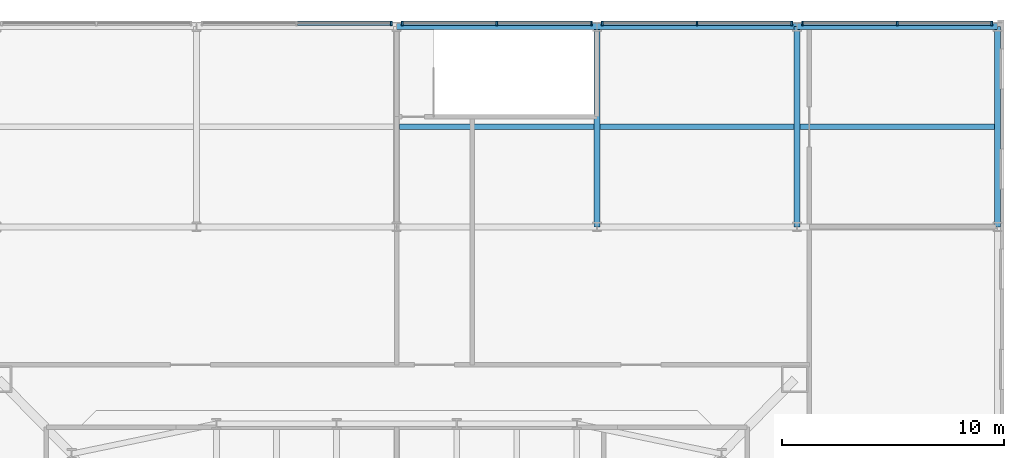
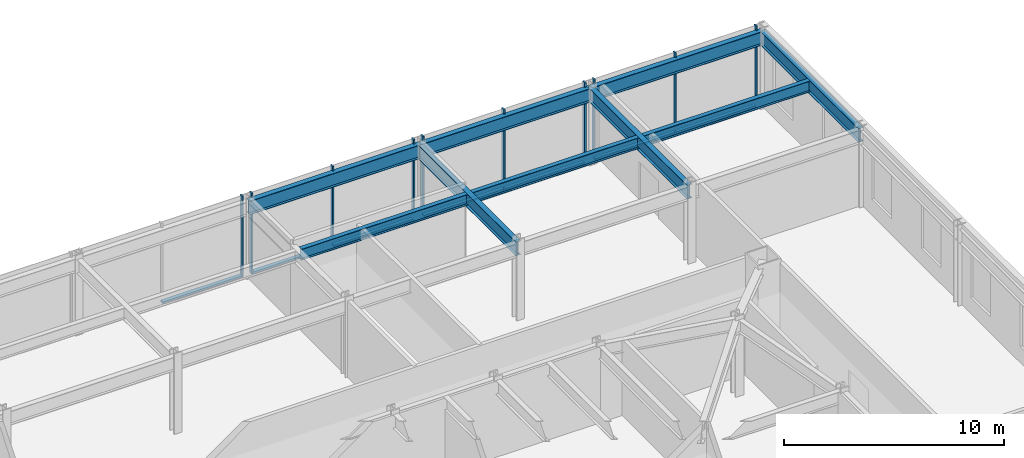
# One storey, part 17 of 30: 17 members, 9 beams, 4 elements without a shape of their own.
"""IFC4 building model written with IfcOpenShell, lengths in metres."""

from ifc_helpers import new_model, si_unit, direction, frame, origin, origin_2d, place, context, subcontext, project, spatial, rectangle, i_section, extrude, material, material_profile, profile_set, type_object, element, aggregate, save


model = new_model("IFC4")

# Units and contexts
model_context = context("Model", 3, precision=1e-05, world=origin(), true_north=direction((0.0, 1.0)))
body_context = subcontext(model_context, "Body", "Model", "MODEL_VIEW")
ifc_project = project(units=[si_unit("LENGTHUNIT", "METRE"), si_unit("AREAUNIT", "SQUARE_METRE"), si_unit("VOLUMEUNIT", "CUBIC_METRE"), si_unit("PLANEANGLEUNIT", "RADIAN"), si_unit("MASSUNIT", "GRAM", prefix="KILO")], contexts=[model_context])

# Site, building, storey
site_placement = place(None, origin())
site = spatial("IfcSite", under=ifc_project, at=site_placement, CompositionType="ELEMENT")
building_placement = place(site_placement, origin())
building = spatial("IfcBuilding", under=site, at=building_placement, Name="Iwan Alto Co-Living Towers", CompositionType="ELEMENT")
storey_placement = place(building_placement, frame((0.0, 0.0, 10.5)))
storey = spatial("IfcBuildingStorey", under=building, at=storey_placement, Name="L02", CompositionType="ELEMENT", Elevation=10.5)

# Curtain wall, member
ifc_material_1 = material(Name="Bronze aluminium stick frame", Category="aluminium")
curtain_wall_type = type_object("IfcCurtainWallType", Name="CURTAIN WALL CW-E", PredefinedType="NOTDEFINED", material=ifc_material_1)
curtain_wall_1_placement = place(storey_placement, origin())
curtain_wall_1 = element("IfcCurtainWall", 1, at=curtain_wall_1_placement, inside=storey, type_object=curtain_wall_type, Name="Podium curtain wall N L02", PredefinedType="NOTDEFINED")
ifc_material_2 = material(Name="Aluminium 6063-T6 bronze anodised", Category="aluminium")
ifc_material_profile_1 = material_profile(ifc_material_2, rectangle(XDim=0.199951171875, YDim=0.080078125, at=origin_2d()), Name="AL 80X200")
ifc_profile_set_1 = profile_set([ifc_material_profile_1], Name="Aluminium 6063-T6 bronze anodised")
member_type_1 = type_object("IfcMemberType", Name="CW-E MULLION 80X200", PredefinedType="MULLION", material=ifc_profile_set_1)
member_1_placement = place(storey_placement, frame((62.754150390625, 36.14990234375, 0.0), z_axis=(0.0, 0.0, 1.0), x_axis=(0.0, -1.0, 0.0)))
member_1 = element("IfcMember", 2, at=member_1_placement, type_object=member_type_1, Name="CW-E mullion 1", PredefinedType="MULLION", context=body_context, shape_type="SweptSolid", body=[
    extrude(rectangle(XDim=0.199951171875, YDim=0.080078125, at=origin_2d()), origin(), (0.0, 0.0, 1.0), 4.5),
])

# Curtain wall, members
curtain_wall_2_placement = place(storey_placement, origin())
curtain_wall_2 = element("IfcCurtainWall", 3, at=curtain_wall_2_placement, inside=storey, type_object=curtain_wall_type, Name="Podium curtain wall N L02", PredefinedType="NOTDEFINED")
member_2_placement = place(storey_placement, frame((71.754150390625, 36.14990234375, 0.0), z_axis=(0.0, 0.0, 1.0), x_axis=(0.0, -1.0, 0.0)))
member_2 = element("IfcMember", 4, at=member_2_placement, type_object=member_type_1, Name="CW-E mullion 1", PredefinedType="MULLION", context=body_context, shape_type="SweptSolid", body=[
    extrude(rectangle(XDim=0.199951171875, YDim=0.080078125, at=origin_2d()), origin(), (0.0, 0.0, 1.0), 4.5),
])
member_3_placement = place(storey_placement, frame((67.5, 36.14990234375, 0.0), z_axis=(0.0, 0.0, 1.0), x_axis=(0.0, -1.0, 0.0)))
member_3 = element("IfcMember", 5, at=member_3_placement, type_object=member_type_1, Name="CW-E mullion 2", PredefinedType="MULLION", context=body_context, shape_type="SweptSolid", body=[
    extrude(rectangle(XDim=0.199951171875, YDim=0.080078125, at=origin_2d()), origin(), (0.0, 0.0, 1.0), 4.5),
])
member_4_placement = place(storey_placement, frame((63.245849609375, 36.14990234375, 0.0), z_axis=(0.0, 0.0, 1.0), x_axis=(0.0, -1.0, 0.0)))
member_4 = element("IfcMember", 6, at=member_4_placement, type_object=member_type_1, Name="CW-E mullion 3", PredefinedType="MULLION", context=body_context, shape_type="SweptSolid", body=[
    extrude(rectangle(XDim=0.199951171875, YDim=0.080078125, at=origin_2d()), origin(), (0.0, 0.0, 1.0), 4.5),
])

curtain_wall_3_placement = place(storey_placement, origin())
curtain_wall_3 = element("IfcCurtainWall", 7, at=curtain_wall_3_placement, inside=storey, type_object=curtain_wall_type, Name="Podium curtain wall N L02", PredefinedType="NOTDEFINED")
member_5_placement = place(storey_placement, frame((80.754150390625, 36.14990234375, 0.0), z_axis=(0.0, 0.0, 1.0), x_axis=(0.0, -1.0, 0.0)))
member_5 = element("IfcMember", 8, at=member_5_placement, type_object=member_type_1, Name="CW-E mullion 1", PredefinedType="MULLION", context=body_context, shape_type="SweptSolid", body=[
    extrude(rectangle(XDim=0.199951171875, YDim=0.080078125, at=origin_2d()), origin(), (0.0, 0.0, 1.0), 4.5),
])
member_6_placement = place(storey_placement, frame((76.5, 36.14990234375, 0.0), z_axis=(0.0, 0.0, 1.0), x_axis=(0.0, -1.0, 0.0)))
member_6 = element("IfcMember", 9, at=member_6_placement, type_object=member_type_1, Name="CW-E mullion 2", PredefinedType="MULLION", context=body_context, shape_type="SweptSolid", body=[
    extrude(rectangle(XDim=0.199951171875, YDim=0.080078125, at=origin_2d()), origin(), (0.0, 0.0, 1.0), 4.5),
])
member_7_placement = place(storey_placement, frame((72.245849609375, 36.14990234375, 0.0), z_axis=(0.0, 0.0, 1.0), x_axis=(0.0, -1.0, 0.0)))
member_7 = element("IfcMember", 10, at=member_7_placement, type_object=member_type_1, Name="CW-E mullion 3", PredefinedType="MULLION", context=body_context, shape_type="SweptSolid", body=[
    extrude(rectangle(XDim=0.199951171875, YDim=0.080078125, at=origin_2d()), origin(), (0.0, 0.0, 1.0), 4.5),
])

curtain_wall_4_placement = place(storey_placement, origin())
curtain_wall_4 = element("IfcCurtainWall", 11, at=curtain_wall_4_placement, inside=storey, type_object=curtain_wall_type, Name="Podium curtain wall N L02", PredefinedType="NOTDEFINED")
member_8_placement = place(storey_placement, frame((89.754150390625, 36.14990234375, 0.0), z_axis=(0.0, 0.0, 1.0), x_axis=(0.0, -1.0, 0.0)))
member_8 = element("IfcMember", 12, at=member_8_placement, type_object=member_type_1, Name="CW-E mullion 1", PredefinedType="MULLION", context=body_context, shape_type="SweptSolid", body=[
    extrude(rectangle(XDim=0.199951171875, YDim=0.080078125, at=origin_2d()), origin(), (0.0, 0.0, 1.0), 4.5),
])
member_9_placement = place(storey_placement, frame((85.5, 36.14990234375, 0.0), z_axis=(0.0, 0.0, 1.0), x_axis=(0.0, -1.0, 0.0)))
member_9 = element("IfcMember", 13, at=member_9_placement, type_object=member_type_1, Name="CW-E mullion 2", PredefinedType="MULLION", context=body_context, shape_type="SweptSolid", body=[
    extrude(rectangle(XDim=0.199951171875, YDim=0.080078125, at=origin_2d()), origin(), (0.0, 0.0, 1.0), 4.5),
])
member_10_placement = place(storey_placement, frame((81.245849609375, 36.14990234375, 0.0), z_axis=(0.0, 0.0, 1.0), x_axis=(0.0, -1.0, 0.0)))
member_10 = element("IfcMember", 14, at=member_10_placement, type_object=member_type_1, Name="CW-E mullion 3", PredefinedType="MULLION", context=body_context, shape_type="SweptSolid", body=[
    extrude(rectangle(XDim=0.199951171875, YDim=0.080078125, at=origin_2d()), origin(), (0.0, 0.0, 1.0), 4.5),
])

# Member
ifc_material_3 = material(Name="Aluminium 6063-T6 bronze anodised", Category="aluminium")
ifc_material_profile_2 = material_profile(ifc_material_3, rectangle(XDim=0.199951171875, YDim=0.10009765625, at=origin_2d()), Name="AL 200X100")
ifc_profile_set_2 = profile_set([ifc_material_profile_2], Name="Aluminium 6063-T6 bronze anodised")
member_type_2 = type_object("IfcMemberType", Name="CW-E TRANSOM 200X100", PredefinedType="USERDEFINED", material=ifc_profile_set_2)
member_11_placement = place(storey_placement, frame((62.71435546875, 36.14990234375, 0.050048828125), z_axis=(-1.0, 0.0, 0.0), x_axis=(0.0, -1.0, 0.0)))
member_11 = element("IfcMember", 15, at=member_11_placement, type_object=member_type_2, Name="CW-E transom 1.1", ObjectType="TRANSOM", PredefinedType="USERDEFINED", context=body_context, shape_type="SweptSolid", body=[
    extrude(rectangle(XDim=0.199951171875, YDim=0.10009765625, at=origin_2d()), origin(), (0.0, 0.0, 1.0), 4.17431640625),
])

aggregate(curtain_wall_1, [member_1, member_11])

member_12_placement = place(storey_placement, frame((71.71435546875, 36.14990234375, 0.050048828125), z_axis=(-1.0, 0.0, 0.0), x_axis=(0.0, -1.0, 0.0)))
member_12 = element("IfcMember", 16, at=member_12_placement, type_object=member_type_2, Name="CW-E transom 1.1", ObjectType="TRANSOM", PredefinedType="USERDEFINED", context=body_context, shape_type="SweptSolid", body=[
    extrude(rectangle(XDim=0.199951171875, YDim=0.10009765625, at=origin_2d()), origin(), (0.0, 0.0, 1.0), 4.17431640625),
])

member_13_placement = place(storey_placement, frame((67.4599609375, 36.14990234375, 0.050048828125), z_axis=(-1.0, 0.0, 0.0), x_axis=(0.0, -1.0, 0.0)))
member_13 = element("IfcMember", 17, at=member_13_placement, type_object=member_type_2, Name="CW-E transom 2.1", ObjectType="TRANSOM", PredefinedType="USERDEFINED", context=body_context, shape_type="SweptSolid", body=[
    extrude(rectangle(XDim=0.199951171875, YDim=0.10009765625, at=origin_2d()), origin(), (0.0, 0.0, 1.0), 4.17431640625),
])

aggregate(curtain_wall_2, [member_2, member_3, member_4, member_12, member_13])

member_14_placement = place(storey_placement, frame((80.71435546875, 36.14990234375, 0.050048828125), z_axis=(-1.0, 0.0, 0.0), x_axis=(0.0, -1.0, 0.0)))
member_14 = element("IfcMember", 18, at=member_14_placement, type_object=member_type_2, Name="CW-E transom 1.1", ObjectType="TRANSOM", PredefinedType="USERDEFINED", context=body_context, shape_type="SweptSolid", body=[
    extrude(rectangle(XDim=0.199951171875, YDim=0.10009765625, at=origin_2d()), origin(), (0.0, 0.0, 1.0), 4.17431640625),
])

member_15_placement = place(storey_placement, frame((76.4599609375, 36.14990234375, 0.050048828125), z_axis=(-1.0, 0.0, 0.0), x_axis=(0.0, -1.0, 0.0)))
member_15 = element("IfcMember", 19, at=member_15_placement, type_object=member_type_2, Name="CW-E transom 2.1", ObjectType="TRANSOM", PredefinedType="USERDEFINED", context=body_context, shape_type="SweptSolid", body=[
    extrude(rectangle(XDim=0.199951171875, YDim=0.10009765625, at=origin_2d()), origin(), (0.0, 0.0, 1.0), 4.17431640625),
])

aggregate(curtain_wall_3, [member_5, member_6, member_7, member_14, member_15])

member_16_placement = place(storey_placement, frame((89.71435546875, 36.14990234375, 0.050048828125), z_axis=(-1.0, 0.0, 0.0), x_axis=(0.0, -1.0, 0.0)))
member_16 = element("IfcMember", 20, at=member_16_placement, type_object=member_type_2, Name="CW-E transom 1.1", ObjectType="TRANSOM", PredefinedType="USERDEFINED", context=body_context, shape_type="SweptSolid", body=[
    extrude(rectangle(XDim=0.199951171875, YDim=0.10009765625, at=origin_2d()), origin(), (0.0, 0.0, 1.0), 4.17431640625),
])

member_17_placement = place(storey_placement, frame((85.4599609375, 36.14990234375, 0.050048828125), z_axis=(-1.0, 0.0, 0.0), x_axis=(0.0, -1.0, 0.0)))
member_17 = element("IfcMember", 21, at=member_17_placement, type_object=member_type_2, Name="CW-E transom 2.1", ObjectType="TRANSOM", PredefinedType="USERDEFINED", context=body_context, shape_type="SweptSolid", body=[
    extrude(rectangle(XDim=0.199951171875, YDim=0.10009765625, at=origin_2d()), origin(), (0.0, 0.0, 1.0), 4.17431640625),
])

aggregate(curtain_wall_4, [member_8, member_9, member_10, member_16, member_17])

# Beams
ifc_material_4 = material(Name="Steel ASTM A992 Gr 50", Category="steel")
ifc_material_profile_3 = material_profile(ifc_material_4, i_section(OverallWidth=0.2666015625, OverallDepth=0.76953125, WebThickness=0.015625, FlangeThickness=0.025390625, at=origin_2d()), Name="W30X132")
ifc_profile_set_3 = profile_set([ifc_material_profile_3], Name="Steel ASTM A992 Gr 50")
beam_type_1 = type_object("IfcBeamType", Name="PODIUM BEAM W30X132", PredefinedType="BEAM", material=ifc_profile_set_3)
for number, where, z_axis, x_axis, name in (
    (22, (63.0, 36.0, 3.865234375), (1.0, 0.0, 0.0), (0.0, 1.0, 0.0), "Podium beam 12/I-13/I L03"),
    (23, (72.0, 27.0, 3.865234375), (0.0, 1.0, 0.0), (-1.0, 0.0, 0.0), "Podium beam 13/H-13/I L03"),
    (24, (72.0, 36.0, 3.865234375), (1.0, 0.0, 0.0), (0.0, 1.0, 0.0), "Podium beam 13/I-14/I L03"),
    (25, (81.0, 27.0, 3.865234375), (0.0, 1.0, 0.0), (-1.0, 0.0, 0.0), "Podium beam 14/H-14/I L03"),
    (26, (81.0, 36.0, 3.865234375), (1.0, 0.0, 0.0), (0.0, 1.0, 0.0), "Podium beam 14/I-15/I L03"),
    (27, (90.0, 27.0, 3.865234375), (0.0, 1.0, 0.0), (-1.0, 0.0, 0.0), "Podium beam 15/H-15/I L03"),
):
    element("IfcBeam", number, at=place(storey_placement, frame(where, z_axis=z_axis, x_axis=x_axis)), inside=storey, type_object=beam_type_1, Name=name, PredefinedType="BEAM", context=body_context, shape_type="SweptSolid", body=[
        extrude(i_section(OverallWidth=0.2666015625, OverallDepth=0.76953125, WebThickness=0.015625, FlangeThickness=0.025390625, at=origin_2d()), origin(), (0.0, 0.0, 1.0), 9.0),
    ])
ifc_material_5 = material(Name="Steel ASTM A992 Gr 50", Category="steel")
ifc_material_profile_4 = material_profile(ifc_material_5, i_section(OverallWidth=0.23046875, OverallDepth=0.6171875, WebThickness=0.01318359375, FlangeThickness=0.022216796875, at=origin_2d()), Name="W24X94")
ifc_profile_set_4 = profile_set([ifc_material_profile_4], Name="Steel ASTM A992 Gr 50")
beam_type_2 = type_object("IfcBeamType", Name="PODIUM SECONDARY BEAM W24X94", PredefinedType="JOIST", material=ifc_profile_set_4)
for number, where, z_axis, x_axis, name in (
    (28, (63.13330078125, 31.5, 3.94140625), (1.0, 0.0, 0.0), (0.0, 1.0, 0.0), "Podium secondary beam 12/H L03"),
    (29, (72.13330078125, 31.5, 3.94140625), (1.0, 0.0, 0.0), (0.0, 1.0, 0.0), "Podium secondary beam 13/H L03"),
    (30, (81.13330078125, 31.5, 3.94140625), (1.0, 0.0, 0.0), (0.0, 1.0, 0.0), "Podium secondary beam 14/H L03"),
):
    element("IfcBeam", number, at=place(storey_placement, frame(where, z_axis=z_axis, x_axis=x_axis)), inside=storey, type_object=beam_type_2, Name=name, PredefinedType="JOIST", context=body_context, shape_type="SweptSolid", body=[
        extrude(i_section(OverallWidth=0.23046875, OverallDepth=0.6171875, WebThickness=0.01318359375, FlangeThickness=0.022216796875, at=origin_2d()), origin(), (0.0, 0.0, 1.0), 8.7333984375),
    ])

save(model, "model.ifc")
